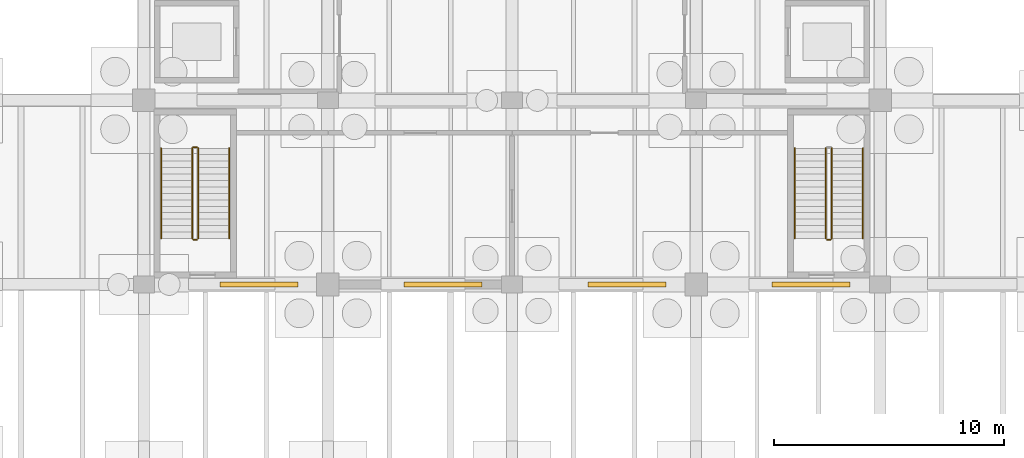
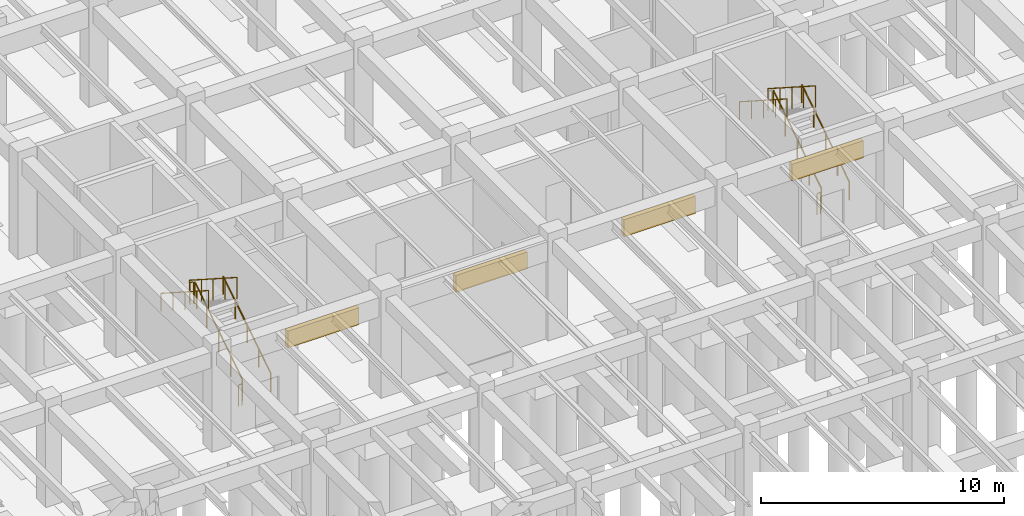
# One storey, part 40 of 44: 11 railings, 4 shading devices.
"""IFC4 building model written with IfcOpenShell, lengths in metres."""

from ifc_helpers import new_model, si_unit, direction, frame, origin, origin_2d, place, context, subcontext, project, spatial, rectangle, circle, extrude, material, type_object, element, save


model = new_model("IFC4")

# Units and contexts
model_context = context("Model", 3, precision=1e-05, world=origin(), true_north=direction((0.0, 1.0)))
body_context = subcontext(model_context, "Body", "Model", "MODEL_VIEW")
ifc_project = project(units=[si_unit("LENGTHUNIT", "METRE"), si_unit("AREAUNIT", "SQUARE_METRE"), si_unit("VOLUMEUNIT", "CUBIC_METRE"), si_unit("PLANEANGLEUNIT", "RADIAN"), si_unit("MASSUNIT", "GRAM", prefix="KILO")], contexts=[model_context])

# Site, building, storey
site_placement = place(None, origin())
site = spatial("IfcSite", under=ifc_project, at=site_placement, CompositionType="ELEMENT")
building_placement = place(site_placement, origin())
building = spatial("IfcBuilding", under=site, at=building_placement, Name="Pecanmere Concourse Central Library", CompositionType="ELEMENT")
storey_placement = place(building_placement, frame((0.0, 0.0, -5.39990234375)))
storey = spatial("IfcBuildingStorey", under=building, at=storey_placement, Name="B1", CompositionType="ELEMENT", Elevation=-5.39990234375)

# Railings
ifc_material_1 = material(Name="Painted architectural steel ASTM A36", Category="steel")
railing_type_1 = type_object("IfcRailingType", Name="RAIL_STAIR_GUARD", PredefinedType="GUARDRAIL", material=ifc_material_1)
railing_1_placement = place(storey_placement, frame((74.360107421875, 92.0, 0.179931640625)))
element("IfcRailing", 1, at=railing_1_placement, inside=storey, type_object=railing_type_1, Name="B1 ST-01 Guard 1", PredefinedType="GUARDRAIL", context=body_context, shape_type="SweptSolid", body=[
    extrude(circle(Radius=0.02392578125, at=origin_2d()), frame((0.0, 0.0, 1.076171875), z_axis=(0.0, 0.841171666519, 0.540768182723), x_axis=(-1.0, 0.0, 0.0)), (0.0, 0.0, 1.0), 4.66015625),
    extrude(circle(Radius=0.02099609375, at=origin_2d()), origin(), (0.0, 0.0, 1.0), 1.052001953125),
    extrude(circle(Radius=0.02099609375, at=origin_2d()), frame((0.0, 0.97998046875, 0.6298828125)), (0.0, 0.0, 1.0), 1.052001953125),
    extrude(circle(Radius=0.02099609375, at=origin_2d()), frame((0.0, 1.9599609375, 1.260009765625)), (0.0, 0.0, 1.0), 1.052001953125),
    extrude(circle(Radius=0.02099609375, at=origin_2d()), frame((0.0, 2.93994140625, 1.89013671875)), (0.0, 0.0, 1.0), 1.052001953125),
    extrude(circle(Radius=0.02099609375, at=origin_2d()), frame((0.0, 3.919921875, 2.52001953125)), (0.0, 0.0, 1.0), 1.052001953125),
])
railing_2_placement = place(storey_placement, frame((74.31005859375, 95.969970703125, 2.699951171875)))
element("IfcRailing", 2, at=railing_2_placement, inside=storey, type_object=railing_type_1, Name="B1 ST-01 Guard 2", PredefinedType="GUARDRAIL", context=body_context, shape_type="SweptSolid", body=[
    extrude(circle(Radius=0.02392578125, at=origin_2d()), frame((0.0, 0.0, 1.076171875), z_axis=(-1.0, 0.0, 0.0), x_axis=(0.0, -1.0, 0.0)), (0.0, 0.0, 1.0), 0.16015625),
    extrude(circle(Radius=0.02099609375, at=origin_2d()), origin(), (0.0, 0.0, 1.0), 1.052001953125),
    extrude(circle(Radius=0.02099609375, at=origin_2d()), frame((-0.16015625, 0.0, 0.0)), (0.0, 0.0, 1.0), 1.052001953125),
])
railing_3_placement = place(storey_placement, frame((74.10009765625, 95.919921875, 2.8798828125)))
element("IfcRailing", 3, at=railing_3_placement, inside=storey, type_object=railing_type_1, Name="B1 ST-01 Guard 3", PredefinedType="GUARDRAIL", context=body_context, shape_type="SweptSolid", body=[
    extrude(circle(Radius=0.02392578125, at=origin_2d()), frame((0.0, 0.0, 1.076171875), z_axis=(0.0, -0.841171666519, 0.540768182723), x_axis=(1.0, 0.0, 0.0)), (0.0, 0.0, 1.0), 4.66015625),
    extrude(circle(Radius=0.02099609375, at=origin_2d()), origin(), (0.0, 0.0, 1.0), 1.052001953125),
    extrude(circle(Radius=0.02099609375, at=origin_2d()), frame((0.0, -0.97998046875, 0.6298828125)), (0.0, 0.0, 1.0), 1.052001953125),
    extrude(circle(Radius=0.02099609375, at=origin_2d()), frame((0.0, -1.9599609375, 1.260009765625)), (0.0, 0.0, 1.0), 1.052001953125),
    extrude(circle(Radius=0.02099609375, at=origin_2d()), frame((0.0, -2.93994140625, 1.89013671875)), (0.0, 0.0, 1.0), 1.052001953125),
    extrude(circle(Radius=0.02099609375, at=origin_2d()), frame((0.0, -3.919921875, 2.52001953125)), (0.0, 0.0, 1.0), 1.052001953125),
])
railing_4_placement = place(storey_placement, frame((74.31005859375, 91.949951171875, 0.0)))
element("IfcRailing", 4, at=railing_4_placement, inside=storey, type_object=railing_type_1, Name="B1 ST-01 Guard 4", PredefinedType="GUARDRAIL", context=body_context, shape_type="SweptSolid", body=[
    extrude(circle(Radius=0.02392578125, at=origin_2d()), frame((0.0, 0.0, 1.076171875), z_axis=(-1.0, 0.0, 0.0), x_axis=(0.0, -1.0, 0.0)), (0.0, 0.0, 1.0), 0.16015625),
    extrude(circle(Radius=0.02099609375, at=origin_2d()), origin(), (0.0, 0.0, 1.0), 1.052001953125),
    extrude(circle(Radius=0.02099609375, at=origin_2d()), frame((-0.16015625, 0.0, 0.0)), (0.0, 0.0, 1.0), 1.052001953125),
])
railing_5_placement = place(storey_placement, frame((101.89990234375, 92.0, 0.179931640625)))
element("IfcRailing", 5, at=railing_5_placement, inside=storey, type_object=railing_type_1, Name="B1 ST-02 Guard 1", PredefinedType="GUARDRAIL", context=body_context, shape_type="SweptSolid", body=[
    extrude(circle(Radius=0.02392578125, at=origin_2d()), frame((0.0, 0.0, 1.076171875), z_axis=(0.0, 0.841171666519, 0.540768182723), x_axis=(-1.0, 0.0, 0.0)), (0.0, 0.0, 1.0), 4.66015625),
    extrude(circle(Radius=0.02099609375, at=origin_2d()), origin(), (0.0, 0.0, 1.0), 1.052001953125),
    extrude(circle(Radius=0.02099609375, at=origin_2d()), frame((0.0, 0.97998046875, 0.6298828125)), (0.0, 0.0, 1.0), 1.052001953125),
    extrude(circle(Radius=0.02099609375, at=origin_2d()), frame((0.0, 1.9599609375, 1.260009765625)), (0.0, 0.0, 1.0), 1.052001953125),
    extrude(circle(Radius=0.02099609375, at=origin_2d()), frame((0.0, 2.93994140625, 1.89013671875)), (0.0, 0.0, 1.0), 1.052001953125),
    extrude(circle(Radius=0.02099609375, at=origin_2d()), frame((0.0, 3.919921875, 2.52001953125)), (0.0, 0.0, 1.0), 1.052001953125),
])
railing_6_placement = place(storey_placement, frame((101.639892578125, 95.919921875, 2.8798828125)))
element("IfcRailing", 6, at=railing_6_placement, inside=storey, type_object=railing_type_1, Name="B1 ST-02 Guard 3", PredefinedType="GUARDRAIL", context=body_context, shape_type="SweptSolid", body=[
    extrude(circle(Radius=0.02392578125, at=origin_2d()), frame((0.0, 0.0, 1.076171875), z_axis=(0.0, -0.841171666519, 0.540768182723), x_axis=(1.0, 0.0, 0.0)), (0.0, 0.0, 1.0), 4.66015625),
    extrude(circle(Radius=0.02099609375, at=origin_2d()), origin(), (0.0, 0.0, 1.0), 1.052001953125),
    extrude(circle(Radius=0.02099609375, at=origin_2d()), frame((0.0, -0.97998046875, 0.6298828125)), (0.0, 0.0, 1.0), 1.052001953125),
    extrude(circle(Radius=0.02099609375, at=origin_2d()), frame((0.0, -1.9599609375, 1.260009765625)), (0.0, 0.0, 1.0), 1.052001953125),
    extrude(circle(Radius=0.02099609375, at=origin_2d()), frame((0.0, -2.93994140625, 1.89013671875)), (0.0, 0.0, 1.0), 1.052001953125),
    extrude(circle(Radius=0.02099609375, at=origin_2d()), frame((0.0, -3.919921875, 2.52001953125)), (0.0, 0.0, 1.0), 1.052001953125),
])
railing_7_placement = place(storey_placement, frame((101.85009765625, 91.949951171875, 0.0)))
element("IfcRailing", 7, at=railing_7_placement, inside=storey, type_object=railing_type_1, Name="B1 ST-02 Guard 4", PredefinedType="GUARDRAIL", context=body_context, shape_type="SweptSolid", body=[
    extrude(circle(Radius=0.02392578125, at=origin_2d()), frame((0.0, 0.0, 1.076171875), z_axis=(-1.0, 0.0, 0.0), x_axis=(0.0, -1.0, 0.0)), (0.0, 0.0, 1.0), 0.16015625),
    extrude(circle(Radius=0.02099609375, at=origin_2d()), origin(), (0.0, 0.0, 1.0), 1.052001953125),
    extrude(circle(Radius=0.02099609375, at=origin_2d()), frame((-0.16015625, 0.0, 0.0)), (0.0, 0.0, 1.0), 1.052001953125),
])
ifc_material_2 = material(Name="Brushed stainless steel Grade 316", Category="steel")
railing_type_2 = type_object("IfcRailingType", Name="RAIL_STAIR_HR", PredefinedType="HANDRAIL", material=ifc_material_2)
railing_8_placement = place(storey_placement, frame((75.7099609375, 92.0, 0.179931640625)))
element("IfcRailing", 8, at=railing_8_placement, inside=storey, type_object=railing_type_2, Name="B1 ST-01 Handrail 1", PredefinedType="HANDRAIL", context=body_context, shape_type="SweptSolid", body=[
    extrude(circle(Radius=0.02392578125, at=origin_2d()), frame((0.0, 0.0, 0.89111328125), z_axis=(0.0, 0.841171666519, 0.540768182723), x_axis=(-1.0, 0.0, 0.0)), (0.0, 0.0, 1.0), 4.66015625),
    extrude(circle(Radius=0.02099609375, at=origin_2d()), origin(), (0.0, 0.0, 1.0), 0.866943359375),
    extrude(circle(Radius=0.02099609375, at=origin_2d()), frame((0.0, 0.97998046875, 0.6298828125)), (0.0, 0.0, 1.0), 0.866943359375),
    extrude(circle(Radius=0.02099609375, at=origin_2d()), frame((0.0, 1.9599609375, 1.260009765625)), (0.0, 0.0, 1.0), 0.866943359375),
    extrude(circle(Radius=0.02099609375, at=origin_2d()), frame((0.0, 2.93994140625, 1.89013671875)), (0.0, 0.0, 1.0), 0.866943359375),
    extrude(circle(Radius=0.02099609375, at=origin_2d()), frame((0.0, 3.919921875, 2.52001953125)), (0.0, 0.0, 1.0), 0.866943359375),
])
railing_9_placement = place(storey_placement, frame((72.75, 95.919921875, 2.8798828125)))
element("IfcRailing", 9, at=railing_9_placement, inside=storey, type_object=railing_type_2, Name="B1 ST-01 Handrail 2", PredefinedType="HANDRAIL", context=body_context, shape_type="SweptSolid", body=[
    extrude(circle(Radius=0.02392578125, at=origin_2d()), frame((0.0, 0.0, 0.89111328125), z_axis=(0.0, -0.841171666519, 0.540768182723), x_axis=(1.0, 0.0, 0.0)), (0.0, 0.0, 1.0), 4.66015625),
    extrude(circle(Radius=0.02099609375, at=origin_2d()), origin(), (0.0, 0.0, 1.0), 0.866943359375),
    extrude(circle(Radius=0.02099609375, at=origin_2d()), frame((0.0, -0.97998046875, 0.6298828125)), (0.0, 0.0, 1.0), 0.866943359375),
    extrude(circle(Radius=0.02099609375, at=origin_2d()), frame((0.0, -1.9599609375, 1.260009765625)), (0.0, 0.0, 1.0), 0.866943359375),
    extrude(circle(Radius=0.02099609375, at=origin_2d()), frame((0.0, -2.93994140625, 1.89013671875)), (0.0, 0.0, 1.0), 0.866943359375),
    extrude(circle(Radius=0.02099609375, at=origin_2d()), frame((0.0, -3.919921875, 2.52001953125)), (0.0, 0.0, 1.0), 0.866943359375),
])
railing_10_placement = place(storey_placement, frame((103.25, 92.0, 0.179931640625)))
element("IfcRailing", 10, at=railing_10_placement, inside=storey, type_object=railing_type_2, Name="B1 ST-02 Handrail 1", PredefinedType="HANDRAIL", context=body_context, shape_type="SweptSolid", body=[
    extrude(circle(Radius=0.02392578125, at=origin_2d()), frame((0.0, 0.0, 0.89111328125), z_axis=(0.0, 0.841171666519, 0.540768182723), x_axis=(-1.0, 0.0, 0.0)), (0.0, 0.0, 1.0), 4.66015625),
    extrude(circle(Radius=0.02099609375, at=origin_2d()), origin(), (0.0, 0.0, 1.0), 0.866943359375),
    extrude(circle(Radius=0.02099609375, at=origin_2d()), frame((0.0, 0.97998046875, 0.6298828125)), (0.0, 0.0, 1.0), 0.866943359375),
    extrude(circle(Radius=0.02099609375, at=origin_2d()), frame((0.0, 1.9599609375, 1.260009765625)), (0.0, 0.0, 1.0), 0.866943359375),
    extrude(circle(Radius=0.02099609375, at=origin_2d()), frame((0.0, 2.93994140625, 1.89013671875)), (0.0, 0.0, 1.0), 0.866943359375),
    extrude(circle(Radius=0.02099609375, at=origin_2d()), frame((0.0, 3.919921875, 2.52001953125)), (0.0, 0.0, 1.0), 0.866943359375),
])
railing_11_placement = place(storey_placement, frame((100.2900390625, 95.919921875, 2.8798828125)))
element("IfcRailing", 11, at=railing_11_placement, inside=storey, type_object=railing_type_2, Name="B1 ST-02 Handrail 2", PredefinedType="HANDRAIL", context=body_context, shape_type="SweptSolid", body=[
    extrude(circle(Radius=0.02392578125, at=origin_2d()), frame((0.0, 0.0, 0.89111328125), z_axis=(0.0, -0.841171666519, 0.540768182723), x_axis=(1.0, 0.0, 0.0)), (0.0, 0.0, 1.0), 4.66015625),
    extrude(circle(Radius=0.02099609375, at=origin_2d()), origin(), (0.0, 0.0, 1.0), 0.866943359375),
    extrude(circle(Radius=0.02099609375, at=origin_2d()), frame((0.0, -0.97998046875, 0.6298828125)), (0.0, 0.0, 1.0), 0.866943359375),
    extrude(circle(Radius=0.02099609375, at=origin_2d()), frame((0.0, -1.9599609375, 1.260009765625)), (0.0, 0.0, 1.0), 0.866943359375),
    extrude(circle(Radius=0.02099609375, at=origin_2d()), frame((0.0, -2.93994140625, 1.89013671875)), (0.0, 0.0, 1.0), 0.866943359375),
    extrude(circle(Radius=0.02099609375, at=origin_2d()), frame((0.0, -3.919921875, 2.52001953125)), (0.0, 0.0, 1.0), 0.866943359375),
])

# Shading devices
ifc_material_3 = material(Name="Architectural anodized bronze")
shading_device_type = type_object("IfcShadingDeviceType", Name="SHD_LOUVRE_1", PredefinedType="JALOUSIE", material=ifc_material_3)
for number, where, z_axis, x_axis, name in (
    (12, (77.0, 90.0, 3.77490234375), (0.0, 0.0, 1.0), (1.0, 0.0, 0.0), "Intake Louvre SHD-01"),
    (13, (85.0, 90.0, 3.77490234375), (0.0, 0.0, 1.0), (1.0, 0.0, 0.0), "Intake Louvre SHD-02"),
    (14, (93.0, 90.0, 3.77490234375), (0.0, 0.0, 1.0), (1.0, 0.0, 0.0), "Intake Louvre SHD-03"),
    (15, (101.0, 90.0, 3.77490234375), (0.0, 0.0, 1.0), (1.0, 0.0, 0.0), "Intake Louvre SHD-04"),
):
    element("IfcShadingDevice", number, at=place(storey_placement, frame(where, z_axis=z_axis, x_axis=x_axis)), inside=storey, type_object=shading_device_type, Name=name, PredefinedType="JALOUSIE", context=body_context, shape_type="SweptSolid", body=[
        extrude(rectangle(XDim=3.39990234375, YDim=0.219970703125, at=origin_2d()), origin(), (0.0, 0.0, 1.0), 0.85009765625),
    ])

save(model, "model.ifc")
